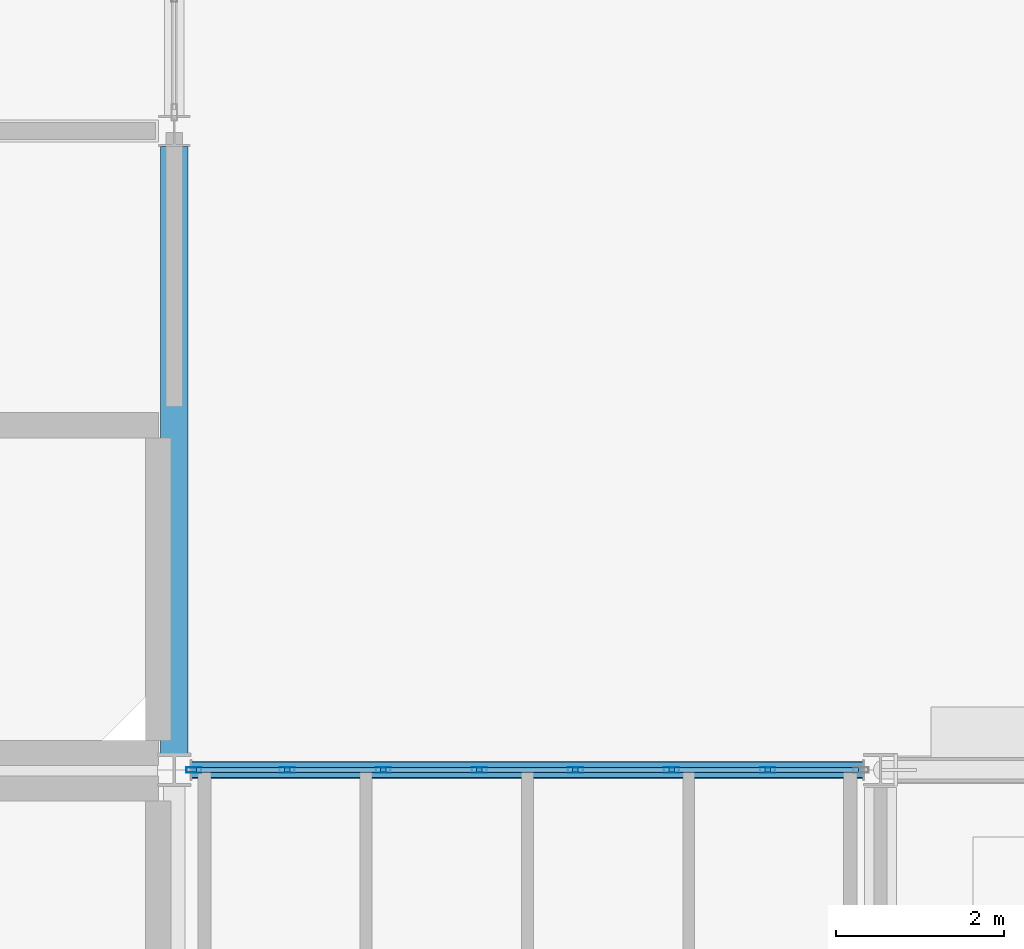
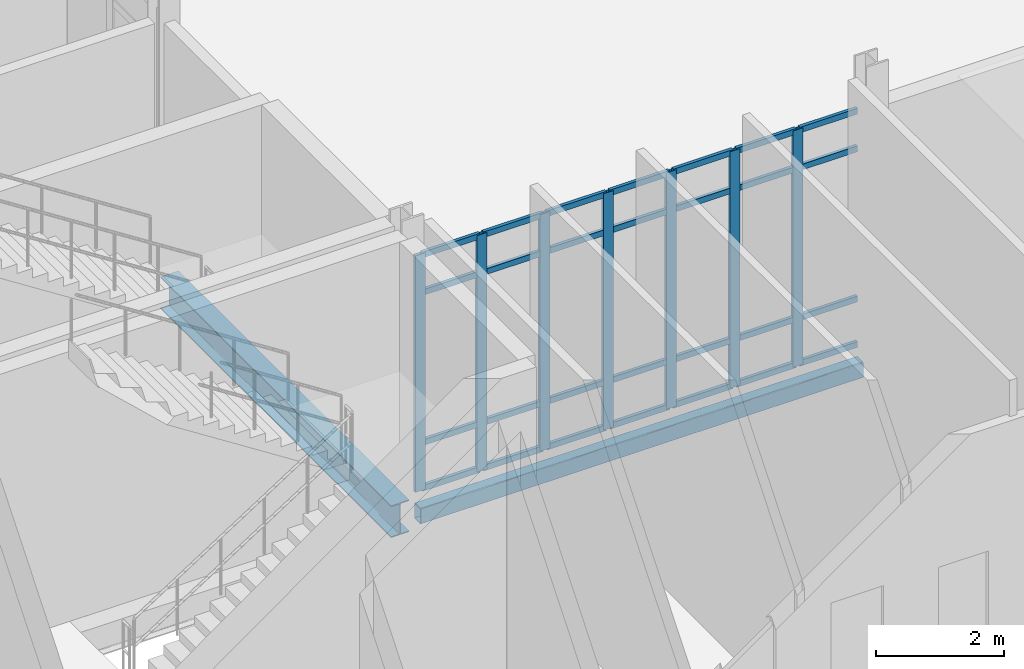
# One storey, part 31 of 229: 35 members, 2 beams, 1 element without a shape of its own.
"""IFC4 building model written with IfcOpenShell, lengths in metres."""

from ifc_helpers import new_model, si_unit, direction, frame, origin, origin_2d, place, context, subcontext, project, spatial, hollow_rectangle, i_section, extrude, material, layer, layer_set, material_profile, profile_set, type_object, element, aggregate, save


model = new_model("IFC4")

# Units and contexts
model_context = context("Model", 3, precision=1e-05, world=origin(), true_north=direction((0.0, 1.0)))
body_context = subcontext(model_context, "Body", "Model", "MODEL_VIEW")
ifc_project = project(units=[si_unit("LENGTHUNIT", "METRE"), si_unit("AREAUNIT", "SQUARE_METRE"), si_unit("VOLUMEUNIT", "CUBIC_METRE"), si_unit("PLANEANGLEUNIT", "RADIAN"), si_unit("MASSUNIT", "GRAM", prefix="KILO")], contexts=[model_context])

# Site, building, storey
site_placement = place(None, origin())
site = spatial("IfcSite", under=ifc_project, at=site_placement, CompositionType="ELEMENT")
building_placement = place(site_placement, origin())
building = spatial("IfcBuilding", under=site, at=building_placement, Name="Calvrana Isthmian Art Gallery", CompositionType="ELEMENT")
storey_placement = place(building_placement, origin())
storey = spatial("IfcBuildingStorey", under=building, at=storey_placement, Name="L00", CompositionType="ELEMENT", Elevation=0.0)

# Beams
ifc_material_1 = material(Name="Steel ASTM A992 Gr 50", Category="steel")
ifc_material_profile_1 = material_profile(ifc_material_1, i_section(OverallWidth=0.324951171875, OverallDepth=0.612060546875, WebThickness=0.0126953125, FlangeThickness=0.01904296875, FilletRadius=0.02197265625, at=origin_2d()), Name="W24X104")
ifc_profile_set_1 = profile_set([ifc_material_profile_1], Name="Steel ASTM A992 Gr 50")
beam_type_1 = type_object("IfcBeamType", Name="BM-G-W24X104", PredefinedType="BEAM", material=ifc_profile_set_1)
beam_1_placement = place(storey_placement, frame((38.39990234375, 46.9970703125, -0.591064453125), z_axis=(0.0, 1.0, 0.0), x_axis=(-1.0, 0.0, 0.0)))
element("IfcBeam", 1, at=beam_1_placement, inside=storey, type_object=beam_type_1, Name="Girder Y L00 06/G-H", PredefinedType="BEAM", context=body_context, shape_type="SweptSolid", body=[
    extrude(i_section(OverallWidth=0.324951171875, OverallDepth=0.612060546875, WebThickness=0.0126953125, FlangeThickness=0.01904296875, FilletRadius=0.02197265625, at=origin_2d()), origin(), (0.0, 0.0, 1.0), 7.218994140625),
])
ifc_material_2 = material(Name="Steel ASTM A500 Gr C", Category="steel")
ifc_material_profile_2 = material_profile(ifc_material_2, hollow_rectangle(XDim=0.203125, YDim=0.3046875, WallThickness=0.0126953125, OuterFilletRadius=0.02490234375, at=origin_2d()), Name="HSS305X203X12.7")
ifc_profile_set_2 = profile_set([ifc_material_profile_2], Name="Steel ASTM A500 Gr C")
beam_type_2 = type_object("IfcBeamType", Name="BM-SP-HSS305", PredefinedType="SPANDREL", material=ifc_profile_set_2)
beam_2_placement = place(storey_placement, frame((38.599609375, 46.800048828125, -0.4375), z_axis=(1.0, 0.0, 0.0), x_axis=(0.0, 1.0, 0.0)))
element("IfcBeam", 2, at=beam_2_placement, inside=storey, type_object=beam_type_2, Name="Girder X L00 06-07/G", PredefinedType="SPANDREL", context=body_context, shape_type="SweptSolid", body=[
    extrude(hollow_rectangle(XDim=0.203125, YDim=0.3046875, WallThickness=0.0126953125, OuterFilletRadius=0.02490234375, at=origin_2d()), origin(), (0.0, 0.0, 1.0), 7.997314453125),
])

# Curtain wall, members
ifc_material_3 = material(Name="Anodized bronze aluminium 6063-T6", Category="aluminium")
ifc_layer = layer(ifc_material_3, 0.179931640625, Name="Anodized bronze aluminium 6063-T6")
ifc_layer_set = layer_set([ifc_layer], Name="Anodized bronze aluminium 6063-T6")
curtain_wall_type = type_object("IfcCurtainWallType", Name="CW-STICK-080X45", PredefinedType="NOTDEFINED", material=ifc_layer_set)
curtain_wall_placement = place(storey_placement, origin())
curtain_wall = element("IfcCurtainWall", 3, at=curtain_wall_placement, inside=storey, type_object=curtain_wall_type, Name="Curtain wall CW-020", PredefinedType="NOTDEFINED")
ifc_material_profile_3 = material_profile(ifc_material_3, hollow_rectangle(XDim=0.06494140625, YDim=0.179931640625, WallThickness=0.00439453125, at=origin_2d()), Name="CWM65X180")
ifc_profile_set_3 = profile_set([ifc_material_profile_3], Name="Anodized bronze aluminium 6063-T6")
member_type_1 = type_object("IfcMemberType", Name="CWM-CWM65X180", PredefinedType="MULLION", material=ifc_profile_set_3)
member_1_placement = place(storey_placement, frame((38.633056640625, 46.800048828125, 0.0), z_axis=(0.0, 0.0, 1.0), x_axis=(0.0, 1.0, 0.0)))
member_1 = element("IfcMember", 4, at=member_1_placement, type_object=member_type_1, Name="CW-020 mullion 1", PredefinedType="MULLION", context=body_context, shape_type="SweptSolid", body=[
    extrude(hollow_rectangle(XDim=0.06494140625, YDim=0.179931640625, WallThickness=0.00439453125, at=origin_2d()), origin(), (0.0, 0.0, 1.0), 4.51806640625),
])
member_2_placement = place(storey_placement, frame((39.743408203125, 46.800048828125, 0.0), z_axis=(0.0, 0.0, 1.0), x_axis=(0.0, 1.0, 0.0)))
member_2 = element("IfcMember", 5, at=member_2_placement, type_object=member_type_1, Name="CW-020 mullion 2", PredefinedType="MULLION", context=body_context, shape_type="SweptSolid", body=[
    extrude(hollow_rectangle(XDim=0.06494140625, YDim=0.179931640625, WallThickness=0.00439453125, at=origin_2d()), origin(), (0.0, 0.0, 1.0), 4.51806640625),
])
member_3_placement = place(storey_placement, frame((40.88623046875, 46.800048828125, 0.0), z_axis=(0.0, 0.0, 1.0), x_axis=(0.0, 1.0, 0.0)))
member_3 = element("IfcMember", 6, at=member_3_placement, type_object=member_type_1, Name="CW-020 mullion 3", PredefinedType="MULLION", context=body_context, shape_type="SweptSolid", body=[
    extrude(hollow_rectangle(XDim=0.06494140625, YDim=0.179931640625, WallThickness=0.00439453125, at=origin_2d()), origin(), (0.0, 0.0, 1.0), 4.51806640625),
])
member_4_placement = place(storey_placement, frame((42.029052734375, 46.800048828125, 0.0), z_axis=(0.0, 0.0, 1.0), x_axis=(0.0, 1.0, 0.0)))
member_4 = element("IfcMember", 7, at=member_4_placement, type_object=member_type_1, Name="CW-020 mullion 4", PredefinedType="MULLION", context=body_context, shape_type="SweptSolid", body=[
    extrude(hollow_rectangle(XDim=0.06494140625, YDim=0.179931640625, WallThickness=0.00439453125, at=origin_2d()), origin(), (0.0, 0.0, 1.0), 4.51806640625),
])
member_5_placement = place(storey_placement, frame((43.171875, 46.800048828125, 0.0), z_axis=(0.0, 0.0, 1.0), x_axis=(0.0, 1.0, 0.0)))
member_5 = element("IfcMember", 8, at=member_5_placement, type_object=member_type_1, Name="CW-020 mullion 5", PredefinedType="MULLION", context=body_context, shape_type="SweptSolid", body=[
    extrude(hollow_rectangle(XDim=0.06494140625, YDim=0.179931640625, WallThickness=0.00439453125, at=origin_2d()), origin(), (0.0, 0.0, 1.0), 4.51806640625),
])
member_6_placement = place(storey_placement, frame((44.314697265625, 46.800048828125, 0.0), z_axis=(0.0, 0.0, 1.0), x_axis=(0.0, 1.0, 0.0)))
member_6 = element("IfcMember", 9, at=member_6_placement, type_object=member_type_1, Name="CW-020 mullion 6", PredefinedType="MULLION", context=body_context, shape_type="SweptSolid", body=[
    extrude(hollow_rectangle(XDim=0.06494140625, YDim=0.179931640625, WallThickness=0.00439453125, at=origin_2d()), origin(), (0.0, 0.0, 1.0), 4.51806640625),
])
member_7_placement = place(storey_placement, frame((45.457763671875, 46.800048828125, 0.0), z_axis=(0.0, 0.0, 1.0), x_axis=(0.0, 1.0, 0.0)))
member_7 = element("IfcMember", 10, at=member_7_placement, type_object=member_type_1, Name="CW-020 mullion 7", PredefinedType="MULLION", context=body_context, shape_type="SweptSolid", body=[
    extrude(hollow_rectangle(XDim=0.06494140625, YDim=0.179931640625, WallThickness=0.00439453125, at=origin_2d()), origin(), (0.0, 0.0, 1.0), 4.51806640625),
])
ifc_material_profile_4 = material_profile(ifc_material_3, hollow_rectangle(XDim=0.06005859375, YDim=0.110107421875, WallThickness=0.00341796875, at=origin_2d()), Name="CWT60X110")
ifc_profile_set_4 = profile_set([ifc_material_profile_4], Name="Anodized bronze aluminium 6063-T6")
member_type_2 = type_object("IfcMemberType", Name="CWT-CWT60X110", PredefinedType="USERDEFINED", material=ifc_profile_set_4)
member_8_placement = place(storey_placement, frame((38.66552734375, 46.800048828125, 0.030029296875), z_axis=(1.0, 0.0, 0.0), x_axis=(0.0, 1.0, 0.0)))
member_8 = element("IfcMember", 11, at=member_8_placement, type_object=member_type_2, Name="CW-020 transom 1.1", ObjectType="TRANSOM", PredefinedType="USERDEFINED", context=body_context, shape_type="SweptSolid", body=[
    extrude(hollow_rectangle(XDim=0.06005859375, YDim=0.110107421875, WallThickness=0.00341796875, at=origin_2d()), origin(), (0.0, 0.0, 1.0), 1.04541015625),
])
member_9_placement = place(storey_placement, frame((38.66552734375, 46.800048828125, 0.89990234375), z_axis=(1.0, 0.0, 0.0), x_axis=(0.0, 1.0, 0.0)))
member_9 = element("IfcMember", 12, at=member_9_placement, type_object=member_type_2, Name="CW-020 transom 1.2", ObjectType="TRANSOM", PredefinedType="USERDEFINED", context=body_context, shape_type="SweptSolid", body=[
    extrude(hollow_rectangle(XDim=0.06005859375, YDim=0.110107421875, WallThickness=0.00341796875, at=origin_2d()), origin(), (0.0, 0.0, 1.0), 1.04541015625),
])
member_10_placement = place(storey_placement, frame((38.66552734375, 46.800048828125, 3.76806640625), z_axis=(1.0, 0.0, 0.0), x_axis=(0.0, 1.0, 0.0)))
member_10 = element("IfcMember", 13, at=member_10_placement, type_object=member_type_2, Name="CW-020 transom 1.3", ObjectType="TRANSOM", PredefinedType="USERDEFINED", context=body_context, shape_type="SweptSolid", body=[
    extrude(hollow_rectangle(XDim=0.06005859375, YDim=0.110107421875, WallThickness=0.00341796875, at=origin_2d()), origin(), (0.0, 0.0, 1.0), 1.04541015625),
])
member_11_placement = place(storey_placement, frame((38.66552734375, 46.800048828125, 4.488037109375), z_axis=(1.0, 0.0, 0.0), x_axis=(0.0, 1.0, 0.0)))
member_11 = element("IfcMember", 14, at=member_11_placement, type_object=member_type_2, Name="CW-020 transom 1.4", ObjectType="TRANSOM", PredefinedType="USERDEFINED", context=body_context, shape_type="SweptSolid", body=[
    extrude(hollow_rectangle(XDim=0.06005859375, YDim=0.110107421875, WallThickness=0.00341796875, at=origin_2d()), origin(), (0.0, 0.0, 1.0), 1.04541015625),
])
member_12_placement = place(storey_placement, frame((39.77587890625, 46.800048828125, 0.030029296875), z_axis=(1.0, 0.0, 0.0), x_axis=(0.0, 1.0, 0.0)))
member_12 = element("IfcMember", 15, at=member_12_placement, type_object=member_type_2, Name="CW-020 transom 2.1", ObjectType="TRANSOM", PredefinedType="USERDEFINED", context=body_context, shape_type="SweptSolid", body=[
    extrude(hollow_rectangle(XDim=0.06005859375, YDim=0.110107421875, WallThickness=0.00341796875, at=origin_2d()), origin(), (0.0, 0.0, 1.0), 1.077880859375),
])
member_13_placement = place(storey_placement, frame((39.77587890625, 46.800048828125, 0.89990234375), z_axis=(1.0, 0.0, 0.0), x_axis=(0.0, 1.0, 0.0)))
member_13 = element("IfcMember", 16, at=member_13_placement, type_object=member_type_2, Name="CW-020 transom 2.2", ObjectType="TRANSOM", PredefinedType="USERDEFINED", context=body_context, shape_type="SweptSolid", body=[
    extrude(hollow_rectangle(XDim=0.06005859375, YDim=0.110107421875, WallThickness=0.00341796875, at=origin_2d()), origin(), (0.0, 0.0, 1.0), 1.077880859375),
])
member_14_placement = place(storey_placement, frame((39.77587890625, 46.800048828125, 3.76806640625), z_axis=(1.0, 0.0, 0.0), x_axis=(0.0, 1.0, 0.0)))
member_14 = element("IfcMember", 17, at=member_14_placement, type_object=member_type_2, Name="CW-020 transom 2.3", ObjectType="TRANSOM", PredefinedType="USERDEFINED", context=body_context, shape_type="SweptSolid", body=[
    extrude(hollow_rectangle(XDim=0.06005859375, YDim=0.110107421875, WallThickness=0.00341796875, at=origin_2d()), origin(), (0.0, 0.0, 1.0), 1.077880859375),
])
member_15_placement = place(storey_placement, frame((39.77587890625, 46.800048828125, 4.488037109375), z_axis=(1.0, 0.0, 0.0), x_axis=(0.0, 1.0, 0.0)))
member_15 = element("IfcMember", 18, at=member_15_placement, type_object=member_type_2, Name="CW-020 transom 2.4", ObjectType="TRANSOM", PredefinedType="USERDEFINED", context=body_context, shape_type="SweptSolid", body=[
    extrude(hollow_rectangle(XDim=0.06005859375, YDim=0.110107421875, WallThickness=0.00341796875, at=origin_2d()), origin(), (0.0, 0.0, 1.0), 1.077880859375),
])
member_16_placement = place(storey_placement, frame((40.918701171875, 46.800048828125, 0.030029296875), z_axis=(1.0, 0.0, 0.0), x_axis=(0.0, 1.0, 0.0)))
member_16 = element("IfcMember", 19, at=member_16_placement, type_object=member_type_2, Name="CW-020 transom 3.1", ObjectType="TRANSOM", PredefinedType="USERDEFINED", context=body_context, shape_type="SweptSolid", body=[
    extrude(hollow_rectangle(XDim=0.06005859375, YDim=0.110107421875, WallThickness=0.00341796875, at=origin_2d()), origin(), (0.0, 0.0, 1.0), 1.077880859375),
])
member_17_placement = place(storey_placement, frame((40.918701171875, 46.800048828125, 0.89990234375), z_axis=(1.0, 0.0, 0.0), x_axis=(0.0, 1.0, 0.0)))
member_17 = element("IfcMember", 20, at=member_17_placement, type_object=member_type_2, Name="CW-020 transom 3.2", ObjectType="TRANSOM", PredefinedType="USERDEFINED", context=body_context, shape_type="SweptSolid", body=[
    extrude(hollow_rectangle(XDim=0.06005859375, YDim=0.110107421875, WallThickness=0.00341796875, at=origin_2d()), origin(), (0.0, 0.0, 1.0), 1.077880859375),
])
member_18_placement = place(storey_placement, frame((40.918701171875, 46.800048828125, 3.76806640625), z_axis=(1.0, 0.0, 0.0), x_axis=(0.0, 1.0, 0.0)))
member_18 = element("IfcMember", 21, at=member_18_placement, type_object=member_type_2, Name="CW-020 transom 3.3", ObjectType="TRANSOM", PredefinedType="USERDEFINED", context=body_context, shape_type="SweptSolid", body=[
    extrude(hollow_rectangle(XDim=0.06005859375, YDim=0.110107421875, WallThickness=0.00341796875, at=origin_2d()), origin(), (0.0, 0.0, 1.0), 1.077880859375),
])
member_19_placement = place(storey_placement, frame((40.918701171875, 46.800048828125, 4.488037109375), z_axis=(1.0, 0.0, 0.0), x_axis=(0.0, 1.0, 0.0)))
member_19 = element("IfcMember", 22, at=member_19_placement, type_object=member_type_2, Name="CW-020 transom 3.4", ObjectType="TRANSOM", PredefinedType="USERDEFINED", context=body_context, shape_type="SweptSolid", body=[
    extrude(hollow_rectangle(XDim=0.06005859375, YDim=0.110107421875, WallThickness=0.00341796875, at=origin_2d()), origin(), (0.0, 0.0, 1.0), 1.077880859375),
])
member_20_placement = place(storey_placement, frame((42.0615234375, 46.800048828125, 0.030029296875), z_axis=(1.0, 0.0, 0.0), x_axis=(0.0, 1.0, 0.0)))
member_20 = element("IfcMember", 23, at=member_20_placement, type_object=member_type_2, Name="CW-020 transom 4.1", ObjectType="TRANSOM", PredefinedType="USERDEFINED", context=body_context, shape_type="SweptSolid", body=[
    extrude(hollow_rectangle(XDim=0.06005859375, YDim=0.110107421875, WallThickness=0.00341796875, at=origin_2d()), origin(), (0.0, 0.0, 1.0), 1.077880859375),
])
member_21_placement = place(storey_placement, frame((42.0615234375, 46.800048828125, 0.89990234375), z_axis=(1.0, 0.0, 0.0), x_axis=(0.0, 1.0, 0.0)))
member_21 = element("IfcMember", 24, at=member_21_placement, type_object=member_type_2, Name="CW-020 transom 4.2", ObjectType="TRANSOM", PredefinedType="USERDEFINED", context=body_context, shape_type="SweptSolid", body=[
    extrude(hollow_rectangle(XDim=0.06005859375, YDim=0.110107421875, WallThickness=0.00341796875, at=origin_2d()), origin(), (0.0, 0.0, 1.0), 1.077880859375),
])
member_22_placement = place(storey_placement, frame((42.0615234375, 46.800048828125, 3.76806640625), z_axis=(1.0, 0.0, 0.0), x_axis=(0.0, 1.0, 0.0)))
member_22 = element("IfcMember", 25, at=member_22_placement, type_object=member_type_2, Name="CW-020 transom 4.3", ObjectType="TRANSOM", PredefinedType="USERDEFINED", context=body_context, shape_type="SweptSolid", body=[
    extrude(hollow_rectangle(XDim=0.06005859375, YDim=0.110107421875, WallThickness=0.00341796875, at=origin_2d()), origin(), (0.0, 0.0, 1.0), 1.077880859375),
])
member_23_placement = place(storey_placement, frame((42.0615234375, 46.800048828125, 4.488037109375), z_axis=(1.0, 0.0, 0.0), x_axis=(0.0, 1.0, 0.0)))
member_23 = element("IfcMember", 26, at=member_23_placement, type_object=member_type_2, Name="CW-020 transom 4.4", ObjectType="TRANSOM", PredefinedType="USERDEFINED", context=body_context, shape_type="SweptSolid", body=[
    extrude(hollow_rectangle(XDim=0.06005859375, YDim=0.110107421875, WallThickness=0.00341796875, at=origin_2d()), origin(), (0.0, 0.0, 1.0), 1.077880859375),
])
member_24_placement = place(storey_placement, frame((43.204345703125, 46.800048828125, 0.030029296875), z_axis=(1.0, 0.0, 0.0), x_axis=(0.0, 1.0, 0.0)))
member_24 = element("IfcMember", 27, at=member_24_placement, type_object=member_type_2, Name="CW-020 transom 5.1", ObjectType="TRANSOM", PredefinedType="USERDEFINED", context=body_context, shape_type="SweptSolid", body=[
    extrude(hollow_rectangle(XDim=0.06005859375, YDim=0.110107421875, WallThickness=0.00341796875, at=origin_2d()), origin(), (0.0, 0.0, 1.0), 1.077880859375),
])
member_25_placement = place(storey_placement, frame((43.204345703125, 46.800048828125, 0.89990234375), z_axis=(1.0, 0.0, 0.0), x_axis=(0.0, 1.0, 0.0)))
member_25 = element("IfcMember", 28, at=member_25_placement, type_object=member_type_2, Name="CW-020 transom 5.2", ObjectType="TRANSOM", PredefinedType="USERDEFINED", context=body_context, shape_type="SweptSolid", body=[
    extrude(hollow_rectangle(XDim=0.06005859375, YDim=0.110107421875, WallThickness=0.00341796875, at=origin_2d()), origin(), (0.0, 0.0, 1.0), 1.077880859375),
])
member_26_placement = place(storey_placement, frame((43.204345703125, 46.800048828125, 3.76806640625), z_axis=(1.0, 0.0, 0.0), x_axis=(0.0, 1.0, 0.0)))
member_26 = element("IfcMember", 29, at=member_26_placement, type_object=member_type_2, Name="CW-020 transom 5.3", ObjectType="TRANSOM", PredefinedType="USERDEFINED", context=body_context, shape_type="SweptSolid", body=[
    extrude(hollow_rectangle(XDim=0.06005859375, YDim=0.110107421875, WallThickness=0.00341796875, at=origin_2d()), origin(), (0.0, 0.0, 1.0), 1.077880859375),
])
member_27_placement = place(storey_placement, frame((43.204345703125, 46.800048828125, 4.488037109375), z_axis=(1.0, 0.0, 0.0), x_axis=(0.0, 1.0, 0.0)))
member_27 = element("IfcMember", 30, at=member_27_placement, type_object=member_type_2, Name="CW-020 transom 5.4", ObjectType="TRANSOM", PredefinedType="USERDEFINED", context=body_context, shape_type="SweptSolid", body=[
    extrude(hollow_rectangle(XDim=0.06005859375, YDim=0.110107421875, WallThickness=0.00341796875, at=origin_2d()), origin(), (0.0, 0.0, 1.0), 1.077880859375),
])
member_28_placement = place(storey_placement, frame((44.34716796875, 46.800048828125, 0.030029296875), z_axis=(1.0, 0.0, 0.0), x_axis=(0.0, 1.0, 0.0)))
member_28 = element("IfcMember", 31, at=member_28_placement, type_object=member_type_2, Name="CW-020 transom 6.1", ObjectType="TRANSOM", PredefinedType="USERDEFINED", context=body_context, shape_type="SweptSolid", body=[
    extrude(hollow_rectangle(XDim=0.06005859375, YDim=0.110107421875, WallThickness=0.00341796875, at=origin_2d()), origin(), (0.0, 0.0, 1.0), 1.077880859375),
])
member_29_placement = place(storey_placement, frame((44.34716796875, 46.800048828125, 0.89990234375), z_axis=(1.0, 0.0, 0.0), x_axis=(0.0, 1.0, 0.0)))
member_29 = element("IfcMember", 32, at=member_29_placement, type_object=member_type_2, Name="CW-020 transom 6.2", ObjectType="TRANSOM", PredefinedType="USERDEFINED", context=body_context, shape_type="SweptSolid", body=[
    extrude(hollow_rectangle(XDim=0.06005859375, YDim=0.110107421875, WallThickness=0.00341796875, at=origin_2d()), origin(), (0.0, 0.0, 1.0), 1.077880859375),
])
member_30_placement = place(storey_placement, frame((44.34716796875, 46.800048828125, 3.76806640625), z_axis=(1.0, 0.0, 0.0), x_axis=(0.0, 1.0, 0.0)))
member_30 = element("IfcMember", 33, at=member_30_placement, type_object=member_type_2, Name="CW-020 transom 6.3", ObjectType="TRANSOM", PredefinedType="USERDEFINED", context=body_context, shape_type="SweptSolid", body=[
    extrude(hollow_rectangle(XDim=0.06005859375, YDim=0.110107421875, WallThickness=0.00341796875, at=origin_2d()), origin(), (0.0, 0.0, 1.0), 1.077880859375),
])
member_31_placement = place(storey_placement, frame((44.34716796875, 46.800048828125, 4.488037109375), z_axis=(1.0, 0.0, 0.0), x_axis=(0.0, 1.0, 0.0)))
member_31 = element("IfcMember", 34, at=member_31_placement, type_object=member_type_2, Name="CW-020 transom 6.4", ObjectType="TRANSOM", PredefinedType="USERDEFINED", context=body_context, shape_type="SweptSolid", body=[
    extrude(hollow_rectangle(XDim=0.06005859375, YDim=0.110107421875, WallThickness=0.00341796875, at=origin_2d()), origin(), (0.0, 0.0, 1.0), 1.077880859375),
])
member_32_placement = place(storey_placement, frame((45.490234375, 46.800048828125, 0.030029296875), z_axis=(1.0, 0.0, 0.0), x_axis=(0.0, 1.0, 0.0)))
member_32 = element("IfcMember", 35, at=member_32_placement, type_object=member_type_2, Name="CW-020 transom 7.1", ObjectType="TRANSOM", PredefinedType="USERDEFINED", context=body_context, shape_type="SweptSolid", body=[
    extrude(hollow_rectangle(XDim=0.06005859375, YDim=0.110107421875, WallThickness=0.00341796875, at=origin_2d()), origin(), (0.0, 0.0, 1.0), 1.045166015625),
])
member_33_placement = place(storey_placement, frame((45.490234375, 46.800048828125, 0.89990234375), z_axis=(1.0, 0.0, 0.0), x_axis=(0.0, 1.0, 0.0)))
member_33 = element("IfcMember", 36, at=member_33_placement, type_object=member_type_2, Name="CW-020 transom 7.2", ObjectType="TRANSOM", PredefinedType="USERDEFINED", context=body_context, shape_type="SweptSolid", body=[
    extrude(hollow_rectangle(XDim=0.06005859375, YDim=0.110107421875, WallThickness=0.00341796875, at=origin_2d()), origin(), (0.0, 0.0, 1.0), 1.045166015625),
])
member_34_placement = place(storey_placement, frame((45.490234375, 46.800048828125, 3.76806640625), z_axis=(1.0, 0.0, 0.0), x_axis=(0.0, 1.0, 0.0)))
member_34 = element("IfcMember", 37, at=member_34_placement, type_object=member_type_2, Name="CW-020 transom 7.3", ObjectType="TRANSOM", PredefinedType="USERDEFINED", context=body_context, shape_type="SweptSolid", body=[
    extrude(hollow_rectangle(XDim=0.06005859375, YDim=0.110107421875, WallThickness=0.00341796875, at=origin_2d()), origin(), (0.0, 0.0, 1.0), 1.045166015625),
])
member_35_placement = place(storey_placement, frame((45.490234375, 46.800048828125, 4.488037109375), z_axis=(1.0, 0.0, 0.0), x_axis=(0.0, 1.0, 0.0)))
member_35 = element("IfcMember", 38, at=member_35_placement, type_object=member_type_2, Name="CW-020 transom 7.4", ObjectType="TRANSOM", PredefinedType="USERDEFINED", context=body_context, shape_type="SweptSolid", body=[
    extrude(hollow_rectangle(XDim=0.06005859375, YDim=0.110107421875, WallThickness=0.00341796875, at=origin_2d()), origin(), (0.0, 0.0, 1.0), 1.045166015625),
])
aggregate(curtain_wall, [member_1, member_2, member_3, member_4, member_5, member_6, member_7, member_8, member_9, member_10, member_11, member_12, member_13, member_14, member_15, member_16, member_17, member_18, member_19, member_20, member_21, member_22, member_23, member_24, member_25, member_26, member_27, member_28, member_29, member_30, member_31, member_32, member_33, member_34, member_35])

save(model, "model.ifc")
